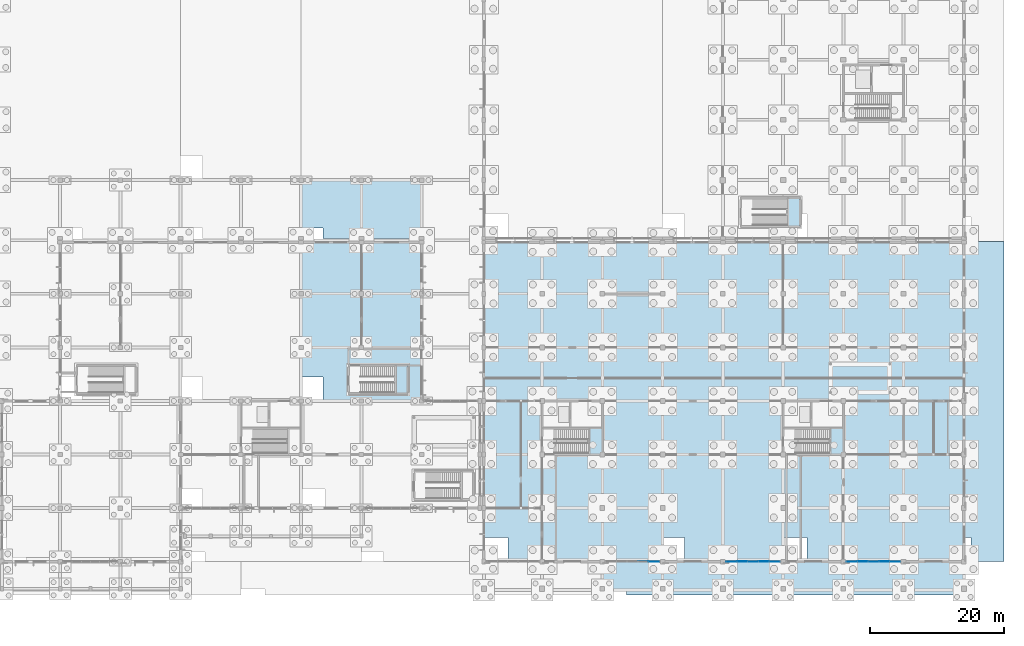
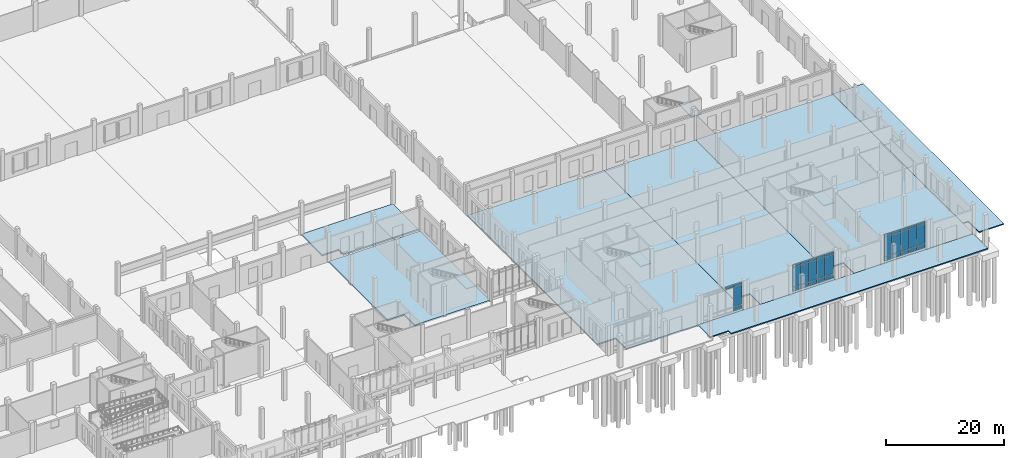
# One storey, part 50 of 99: 34 plates, 11 slabs, 7 elements without a shape of their own.
"""IFC4 building model written with IfcOpenShell, lengths in metres."""

from ifc_helpers import new_model, si_unit, direction, frame, origin, origin_2d, place, context, subcontext, project, spatial, polyline, rectangle, outline, extrude, material, layer, layer_set, type_object, element, aggregate, save


model = new_model("IFC4")

# Units and contexts
model_context = context("Model", 3, precision=1e-05, world=origin(), true_north=direction((0.0, 1.0)))
body_context = subcontext(model_context, "Body", "Model", "MODEL_VIEW")
ifc_project = project(units=[si_unit("LENGTHUNIT", "METRE"), si_unit("AREAUNIT", "SQUARE_METRE"), si_unit("VOLUMEUNIT", "CUBIC_METRE"), si_unit("PLANEANGLEUNIT", "RADIAN"), si_unit("MASSUNIT", "GRAM", prefix="KILO")], contexts=[model_context])

# Site, building, storey
site_placement = place(None, origin())
site = spatial("IfcSite", under=ifc_project, at=site_placement, CompositionType="ELEMENT")
building_placement = place(site_placement, origin())
building = spatial("IfcBuilding", under=site, at=building_placement, Name="Zacnel Wholesale Market", CompositionType="ELEMENT")
storey_placement = place(building_placement, origin())
storey = spatial("IfcBuildingStorey", under=building, at=storey_placement, Name="L01", CompositionType="ELEMENT", Elevation=0.0)

# Curtain wall, plate
ifc_material_1 = material(Name="Anodised aluminium", Category="aluminium")
ifc_layer_1 = layer(ifc_material_1, 0.179931640625)
ifc_layer_set_1 = layer_set([ifc_layer_1], Name="Anodised aluminium")
curtain_wall_type = type_object("IfcCurtainWallType", Name="CW-BLVD-5400", PredefinedType="NOTDEFINED", material=ifc_layer_set_1)
curtain_wall_1_placement = place(storey_placement, origin())
curtain_wall_1 = element("IfcCurtainWall", 1, at=curtain_wall_1_placement, inside=storey, type_object=curtain_wall_type, Name="Curtain wall ENV-R2-CW-L01-006", PredefinedType="NOTDEFINED")
ifc_material_2 = material(Name="Laminated hurricane-impact low-E insulated glass", Category="glass")
ifc_layer_2 = layer(ifc_material_2, 0.028076171875)
ifc_layer_set_2 = layer_set([ifc_layer_2], Name="Laminated hurricane-impact low-E insulated glass")
plate_type_1 = type_object("IfcPlateType", Name="CWP-PNL-01", PredefinedType="CURTAIN_PANEL", material=ifc_layer_set_2)
plate_1_placement = place(storey_placement, frame((169.72412109375, 0.0, 1.330078125), z_axis=(0.0, 0.0, 1.0), x_axis=(1.0, 0.0, 0.0)))
plate_1 = element("IfcPlate", 2, at=plate_1_placement, type_object=plate_type_1, Name="ENV-R2-CW-L01-006 panel 5-2", PredefinedType="CURTAIN_PANEL", context=body_context, shape_type="SweptSolid", body=[
    extrude(rectangle(XDim=1.5419921875, YDim=0.028076171875, at=origin_2d()), origin(), (0.0, 0.0, 1.0), 4.0400390625),
])

# Curtain wall, plates
curtain_wall_2_placement = place(storey_placement, origin())
curtain_wall_2 = element("IfcCurtainWall", 3, at=curtain_wall_2_placement, inside=storey, type_object=curtain_wall_type, Name="Curtain wall ENV-R2-CW-L01-007", PredefinedType="NOTDEFINED")
plate_2_placement = place(storey_placement, frame((181.27587890625, 0.0, 1.330078125), z_axis=(0.0, 0.0, 1.0), x_axis=(1.0, 0.0, 0.0)))
plate_2 = element("IfcPlate", 4, at=plate_2_placement, type_object=plate_type_1, Name="ENV-R2-CW-L01-007 panel 1-2", PredefinedType="CURTAIN_PANEL", context=body_context, shape_type="SweptSolid", body=[
    extrude(rectangle(XDim=1.5419921875, YDim=0.028076171875, at=origin_2d()), origin(), (0.0, 0.0, 1.0), 4.0400390625),
])
plate_3_placement = place(storey_placement, frame((182.887939453125, 0.0, 1.330078125), z_axis=(0.0, 0.0, 1.0), x_axis=(1.0, 0.0, 0.0)))
plate_3 = element("IfcPlate", 5, at=plate_3_placement, type_object=plate_type_1, Name="ENV-R2-CW-L01-007 panel 2-2", PredefinedType="CURTAIN_PANEL", context=body_context, shape_type="SweptSolid", body=[
    extrude(rectangle(XDim=1.5419921875, YDim=0.028076171875, at=origin_2d()), origin(), (0.0, 0.0, 1.0), 4.0400390625),
])
plate_4_placement = place(storey_placement, frame((184.5, 0.0, 1.330078125), z_axis=(0.0, 0.0, 1.0), x_axis=(1.0, 0.0, 0.0)))
plate_4 = element("IfcPlate", 6, at=plate_4_placement, type_object=plate_type_1, Name="ENV-R2-CW-L01-007 panel 3-2", PredefinedType="CURTAIN_PANEL", context=body_context, shape_type="SweptSolid", body=[
    extrude(rectangle(XDim=1.5419921875, YDim=0.028076171875, at=origin_2d()), origin(), (0.0, 0.0, 1.0), 4.0400390625),
])
plate_5_placement = place(storey_placement, frame((186.112060546875, 0.0, 1.330078125), z_axis=(0.0, 0.0, 1.0), x_axis=(1.0, 0.0, 0.0)))
plate_5 = element("IfcPlate", 7, at=plate_5_placement, type_object=plate_type_1, Name="ENV-R2-CW-L01-007 panel 4-2", PredefinedType="CURTAIN_PANEL", context=body_context, shape_type="SweptSolid", body=[
    extrude(rectangle(XDim=1.5419921875, YDim=0.028076171875, at=origin_2d()), origin(), (0.0, 0.0, 1.0), 4.0400390625),
])
plate_6_placement = place(storey_placement, frame((187.72412109375, 0.0, 1.330078125), z_axis=(0.0, 0.0, 1.0), x_axis=(1.0, 0.0, 0.0)))
plate_6 = element("IfcPlate", 8, at=plate_6_placement, type_object=plate_type_1, Name="ENV-R2-CW-L01-007 panel 5-2", PredefinedType="CURTAIN_PANEL", context=body_context, shape_type="SweptSolid", body=[
    extrude(rectangle(XDim=1.5419921875, YDim=0.028076171875, at=origin_2d()), origin(), (0.0, 0.0, 1.0), 4.0400390625),
])

curtain_wall_3_placement = place(storey_placement, origin())
curtain_wall_3 = element("IfcCurtainWall", 9, at=curtain_wall_3_placement, inside=storey, type_object=curtain_wall_type, Name="Curtain wall ENV-R2-CW-L01-008", PredefinedType="NOTDEFINED")
plate_7_placement = place(storey_placement, frame((199.27587890625, 0.0, 1.330078125), z_axis=(0.0, 0.0, 1.0), x_axis=(1.0, 0.0, 0.0)))
plate_7 = element("IfcPlate", 10, at=plate_7_placement, type_object=plate_type_1, Name="ENV-R2-CW-L01-008 panel 1-2", PredefinedType="CURTAIN_PANEL", context=body_context, shape_type="SweptSolid", body=[
    extrude(rectangle(XDim=1.5419921875, YDim=0.028076171875, at=origin_2d()), origin(), (0.0, 0.0, 1.0), 4.0400390625),
])
plate_8_placement = place(storey_placement, frame((200.887939453125, 0.0, 1.330078125), z_axis=(0.0, 0.0, 1.0), x_axis=(1.0, 0.0, 0.0)))
plate_8 = element("IfcPlate", 11, at=plate_8_placement, type_object=plate_type_1, Name="ENV-R2-CW-L01-008 panel 2-2", PredefinedType="CURTAIN_PANEL", context=body_context, shape_type="SweptSolid", body=[
    extrude(rectangle(XDim=1.5419921875, YDim=0.028076171875, at=origin_2d()), origin(), (0.0, 0.0, 1.0), 4.0400390625),
])
plate_9_placement = place(storey_placement, frame((202.5, 0.0, 1.330078125), z_axis=(0.0, 0.0, 1.0), x_axis=(1.0, 0.0, 0.0)))
plate_9 = element("IfcPlate", 12, at=plate_9_placement, type_object=plate_type_1, Name="ENV-R2-CW-L01-008 panel 3-2", PredefinedType="CURTAIN_PANEL", context=body_context, shape_type="SweptSolid", body=[
    extrude(rectangle(XDim=1.5419921875, YDim=0.028076171875, at=origin_2d()), origin(), (0.0, 0.0, 1.0), 4.0400390625),
])
plate_10_placement = place(storey_placement, frame((204.112060546875, 0.0, 1.330078125), z_axis=(0.0, 0.0, 1.0), x_axis=(1.0, 0.0, 0.0)))
plate_10 = element("IfcPlate", 13, at=plate_10_placement, type_object=plate_type_1, Name="ENV-R2-CW-L01-008 panel 4-2", PredefinedType="CURTAIN_PANEL", context=body_context, shape_type="SweptSolid", body=[
    extrude(rectangle(XDim=1.5419921875, YDim=0.028076171875, at=origin_2d()), origin(), (0.0, 0.0, 1.0), 4.0400390625),
])
plate_11_placement = place(storey_placement, frame((205.72412109375, 0.0, 1.330078125), z_axis=(0.0, 0.0, 1.0), x_axis=(1.0, 0.0, 0.0)))
plate_11 = element("IfcPlate", 14, at=plate_11_placement, type_object=plate_type_1, Name="ENV-R2-CW-L01-008 panel 5-2", PredefinedType="CURTAIN_PANEL", context=body_context, shape_type="SweptSolid", body=[
    extrude(rectangle(XDim=1.5419921875, YDim=0.028076171875, at=origin_2d()), origin(), (0.0, 0.0, 1.0), 4.0400390625),
])

# Plate
ifc_material_3 = material(Name="Anodised aluminium", Category="aluminium")
ifc_layer_3 = layer(ifc_material_3, 0.0400390625)
ifc_layer_set_3 = layer_set([ifc_layer_3], Name="Anodised aluminium")
plate_type_2 = type_object("IfcPlateType", Name="CWP-PNL-05", PredefinedType="CURTAIN_PANEL", material=ifc_layer_set_3)
plate_12_placement = place(storey_placement, frame((169.72412109375, 0.0, 0.47998046875), z_axis=(0.0, 0.0, 1.0), x_axis=(1.0, 0.0, 0.0)))
plate_12 = element("IfcPlate", 15, at=plate_12_placement, type_object=plate_type_2, Name="ENV-R2-CW-L01-006 panel 5-1", PredefinedType="CURTAIN_PANEL", context=body_context, shape_type="SweptSolid", body=[
    extrude(rectangle(XDim=1.5419921875, YDim=0.0400390625, at=origin_2d()), origin(), (0.0, 0.0, 1.0), 0.7900390625),
])

plate_13_placement = place(storey_placement, frame((169.72412109375, 0.0, 5.43017578125), z_axis=(0.0, 0.0, 1.0), x_axis=(1.0, 0.0, 0.0)))
plate_13 = element("IfcPlate", 16, at=plate_13_placement, type_object=plate_type_2, Name="ENV-R2-CW-L01-006 panel 5-3", PredefinedType="CURTAIN_PANEL", context=body_context, shape_type="SweptSolid", body=[
    extrude(rectangle(XDim=1.5419921875, YDim=0.0400390625, at=origin_2d()), origin(), (0.0, 0.0, 1.0), 0.489990234375),
])

plate_14_placement = place(storey_placement, frame((181.27587890625, 0.0, 0.47998046875), z_axis=(0.0, 0.0, 1.0), x_axis=(1.0, 0.0, 0.0)))
plate_14 = element("IfcPlate", 17, at=plate_14_placement, type_object=plate_type_2, Name="ENV-R2-CW-L01-007 panel 1-1", PredefinedType="CURTAIN_PANEL", context=body_context, shape_type="SweptSolid", body=[
    extrude(rectangle(XDim=1.5419921875, YDim=0.0400390625, at=origin_2d()), origin(), (0.0, 0.0, 1.0), 0.7900390625),
])

plate_15_placement = place(storey_placement, frame((181.27587890625, 0.0, 5.43017578125), z_axis=(0.0, 0.0, 1.0), x_axis=(1.0, 0.0, 0.0)))
plate_15 = element("IfcPlate", 18, at=plate_15_placement, type_object=plate_type_2, Name="ENV-R2-CW-L01-007 panel 1-3", PredefinedType="CURTAIN_PANEL", context=body_context, shape_type="SweptSolid", body=[
    extrude(rectangle(XDim=1.5419921875, YDim=0.0400390625, at=origin_2d()), origin(), (0.0, 0.0, 1.0), 0.489990234375),
])

plate_16_placement = place(storey_placement, frame((184.5, 0.0, 0.47998046875), z_axis=(0.0, 0.0, 1.0), x_axis=(1.0, 0.0, 0.0)))
plate_16 = element("IfcPlate", 19, at=plate_16_placement, type_object=plate_type_2, Name="ENV-R2-CW-L01-007 panel 3-1", PredefinedType="CURTAIN_PANEL", context=body_context, shape_type="SweptSolid", body=[
    extrude(rectangle(XDim=1.5419921875, YDim=0.0400390625, at=origin_2d()), origin(), (0.0, 0.0, 1.0), 0.7900390625),
])

plate_17_placement = place(storey_placement, frame((184.5, 0.0, 5.43017578125), z_axis=(0.0, 0.0, 1.0), x_axis=(1.0, 0.0, 0.0)))
plate_17 = element("IfcPlate", 20, at=plate_17_placement, type_object=plate_type_2, Name="ENV-R2-CW-L01-007 panel 3-3", PredefinedType="CURTAIN_PANEL", context=body_context, shape_type="SweptSolid", body=[
    extrude(rectangle(XDim=1.5419921875, YDim=0.0400390625, at=origin_2d()), origin(), (0.0, 0.0, 1.0), 0.489990234375),
])

plate_18_placement = place(storey_placement, frame((187.72412109375, 0.0, 0.47998046875), z_axis=(0.0, 0.0, 1.0), x_axis=(1.0, 0.0, 0.0)))
plate_18 = element("IfcPlate", 21, at=plate_18_placement, type_object=plate_type_2, Name="ENV-R2-CW-L01-007 panel 5-1", PredefinedType="CURTAIN_PANEL", context=body_context, shape_type="SweptSolid", body=[
    extrude(rectangle(XDim=1.5419921875, YDim=0.0400390625, at=origin_2d()), origin(), (0.0, 0.0, 1.0), 0.7900390625),
])

plate_19_placement = place(storey_placement, frame((187.72412109375, 0.0, 5.43017578125), z_axis=(0.0, 0.0, 1.0), x_axis=(1.0, 0.0, 0.0)))
plate_19 = element("IfcPlate", 22, at=plate_19_placement, type_object=plate_type_2, Name="ENV-R2-CW-L01-007 panel 5-3", PredefinedType="CURTAIN_PANEL", context=body_context, shape_type="SweptSolid", body=[
    extrude(rectangle(XDim=1.5419921875, YDim=0.0400390625, at=origin_2d()), origin(), (0.0, 0.0, 1.0), 0.489990234375),
])

plate_20_placement = place(storey_placement, frame((199.27587890625, 0.0, 0.47998046875), z_axis=(0.0, 0.0, 1.0), x_axis=(1.0, 0.0, 0.0)))
plate_20 = element("IfcPlate", 23, at=plate_20_placement, type_object=plate_type_2, Name="ENV-R2-CW-L01-008 panel 1-1", PredefinedType="CURTAIN_PANEL", context=body_context, shape_type="SweptSolid", body=[
    extrude(rectangle(XDim=1.5419921875, YDim=0.0400390625, at=origin_2d()), origin(), (0.0, 0.0, 1.0), 0.7900390625),
])

plate_21_placement = place(storey_placement, frame((199.27587890625, 0.0, 5.43017578125), z_axis=(0.0, 0.0, 1.0), x_axis=(1.0, 0.0, 0.0)))
plate_21 = element("IfcPlate", 24, at=plate_21_placement, type_object=plate_type_2, Name="ENV-R2-CW-L01-008 panel 1-3", PredefinedType="CURTAIN_PANEL", context=body_context, shape_type="SweptSolid", body=[
    extrude(rectangle(XDim=1.5419921875, YDim=0.0400390625, at=origin_2d()), origin(), (0.0, 0.0, 1.0), 0.489990234375),
])

plate_22_placement = place(storey_placement, frame((202.5, 0.0, 0.47998046875), z_axis=(0.0, 0.0, 1.0), x_axis=(1.0, 0.0, 0.0)))
plate_22 = element("IfcPlate", 25, at=plate_22_placement, type_object=plate_type_2, Name="ENV-R2-CW-L01-008 panel 3-1", PredefinedType="CURTAIN_PANEL", context=body_context, shape_type="SweptSolid", body=[
    extrude(rectangle(XDim=1.5419921875, YDim=0.0400390625, at=origin_2d()), origin(), (0.0, 0.0, 1.0), 0.7900390625),
])

plate_23_placement = place(storey_placement, frame((202.5, 0.0, 5.43017578125), z_axis=(0.0, 0.0, 1.0), x_axis=(1.0, 0.0, 0.0)))
plate_23 = element("IfcPlate", 26, at=plate_23_placement, type_object=plate_type_2, Name="ENV-R2-CW-L01-008 panel 3-3", PredefinedType="CURTAIN_PANEL", context=body_context, shape_type="SweptSolid", body=[
    extrude(rectangle(XDim=1.5419921875, YDim=0.0400390625, at=origin_2d()), origin(), (0.0, 0.0, 1.0), 0.489990234375),
])

plate_24_placement = place(storey_placement, frame((205.72412109375, 0.0, 0.47998046875), z_axis=(0.0, 0.0, 1.0), x_axis=(1.0, 0.0, 0.0)))
plate_24 = element("IfcPlate", 27, at=plate_24_placement, type_object=plate_type_2, Name="ENV-R2-CW-L01-008 panel 5-1", PredefinedType="CURTAIN_PANEL", context=body_context, shape_type="SweptSolid", body=[
    extrude(rectangle(XDim=1.5419921875, YDim=0.0400390625, at=origin_2d()), origin(), (0.0, 0.0, 1.0), 0.7900390625),
])

plate_25_placement = place(storey_placement, frame((205.72412109375, 0.0, 5.43017578125), z_axis=(0.0, 0.0, 1.0), x_axis=(1.0, 0.0, 0.0)))
plate_25 = element("IfcPlate", 28, at=plate_25_placement, type_object=plate_type_2, Name="ENV-R2-CW-L01-008 panel 5-3", PredefinedType="CURTAIN_PANEL", context=body_context, shape_type="SweptSolid", body=[
    extrude(rectangle(XDim=1.5419921875, YDim=0.0400390625, at=origin_2d()), origin(), (0.0, 0.0, 1.0), 0.489990234375),
])

ifc_material_4 = material(Name="Honed Yucatan Maya cream limestone", Category="masonry")
ifc_layer_4 = layer(ifc_material_4, 0.044921875)
ifc_layer_set_4 = layer_set([ifc_layer_4], Name="Honed Yucatan Maya cream limestone")
plate_type_3 = type_object("IfcPlateType", Name="CWP-PNL-06", PredefinedType="CURTAIN_PANEL", material=ifc_layer_set_4)
plate_26_placement = place(storey_placement, frame((168.112060546875, 0.0, 5.43017578125), z_axis=(0.0, 0.0, 1.0), x_axis=(1.0, 0.0, 0.0)))
plate_26 = element("IfcPlate", 29, at=plate_26_placement, type_object=plate_type_3, Name="ENV-R2-CW-L01-006 panel 4-3", PredefinedType="CURTAIN_PANEL", context=body_context, shape_type="SweptSolid", body=[
    extrude(rectangle(XDim=1.5419921875, YDim=0.044921875, at=origin_2d()), origin(), (0.0, 0.0, 1.0), 0.489990234375),
])

aggregate(curtain_wall_1, [plate_26, plate_12, plate_1, plate_13])

plate_27_placement = place(storey_placement, frame((182.887939453125, 0.0, 0.47998046875), z_axis=(0.0, 0.0, 1.0), x_axis=(1.0, 0.0, 0.0)))
plate_27 = element("IfcPlate", 30, at=plate_27_placement, type_object=plate_type_3, Name="ENV-R2-CW-L01-007 panel 2-1", PredefinedType="CURTAIN_PANEL", context=body_context, shape_type="SweptSolid", body=[
    extrude(rectangle(XDim=1.5419921875, YDim=0.044921875, at=origin_2d()), origin(), (0.0, 0.0, 1.0), 0.7900390625),
])

plate_28_placement = place(storey_placement, frame((182.887939453125, 0.0, 5.43017578125), z_axis=(0.0, 0.0, 1.0), x_axis=(1.0, 0.0, 0.0)))
plate_28 = element("IfcPlate", 31, at=plate_28_placement, type_object=plate_type_3, Name="ENV-R2-CW-L01-007 panel 2-3", PredefinedType="CURTAIN_PANEL", context=body_context, shape_type="SweptSolid", body=[
    extrude(rectangle(XDim=1.5419921875, YDim=0.044921875, at=origin_2d()), origin(), (0.0, 0.0, 1.0), 0.489990234375),
])

plate_29_placement = place(storey_placement, frame((186.112060546875, 0.0, 0.47998046875), z_axis=(0.0, 0.0, 1.0), x_axis=(1.0, 0.0, 0.0)))
plate_29 = element("IfcPlate", 32, at=plate_29_placement, type_object=plate_type_3, Name="ENV-R2-CW-L01-007 panel 4-1", PredefinedType="CURTAIN_PANEL", context=body_context, shape_type="SweptSolid", body=[
    extrude(rectangle(XDim=1.5419921875, YDim=0.044921875, at=origin_2d()), origin(), (0.0, 0.0, 1.0), 0.7900390625),
])

plate_30_placement = place(storey_placement, frame((186.112060546875, 0.0, 5.43017578125), z_axis=(0.0, 0.0, 1.0), x_axis=(1.0, 0.0, 0.0)))
plate_30 = element("IfcPlate", 33, at=plate_30_placement, type_object=plate_type_3, Name="ENV-R2-CW-L01-007 panel 4-3", PredefinedType="CURTAIN_PANEL", context=body_context, shape_type="SweptSolid", body=[
    extrude(rectangle(XDim=1.5419921875, YDim=0.044921875, at=origin_2d()), origin(), (0.0, 0.0, 1.0), 0.489990234375),
])

aggregate(curtain_wall_2, [plate_14, plate_2, plate_15, plate_27, plate_3, plate_28, plate_16, plate_4, plate_17, plate_29, plate_5, plate_30, plate_18, plate_6, plate_19])

plate_31_placement = place(storey_placement, frame((200.887939453125, 0.0, 0.47998046875), z_axis=(0.0, 0.0, 1.0), x_axis=(1.0, 0.0, 0.0)))
plate_31 = element("IfcPlate", 34, at=plate_31_placement, type_object=plate_type_3, Name="ENV-R2-CW-L01-008 panel 2-1", PredefinedType="CURTAIN_PANEL", context=body_context, shape_type="SweptSolid", body=[
    extrude(rectangle(XDim=1.5419921875, YDim=0.044921875, at=origin_2d()), origin(), (0.0, 0.0, 1.0), 0.7900390625),
])

plate_32_placement = place(storey_placement, frame((200.887939453125, 0.0, 5.43017578125), z_axis=(0.0, 0.0, 1.0), x_axis=(1.0, 0.0, 0.0)))
plate_32 = element("IfcPlate", 35, at=plate_32_placement, type_object=plate_type_3, Name="ENV-R2-CW-L01-008 panel 2-3", PredefinedType="CURTAIN_PANEL", context=body_context, shape_type="SweptSolid", body=[
    extrude(rectangle(XDim=1.5419921875, YDim=0.044921875, at=origin_2d()), origin(), (0.0, 0.0, 1.0), 0.489990234375),
])

plate_33_placement = place(storey_placement, frame((204.112060546875, 0.0, 0.47998046875), z_axis=(0.0, 0.0, 1.0), x_axis=(1.0, 0.0, 0.0)))
plate_33 = element("IfcPlate", 36, at=plate_33_placement, type_object=plate_type_3, Name="ENV-R2-CW-L01-008 panel 4-1", PredefinedType="CURTAIN_PANEL", context=body_context, shape_type="SweptSolid", body=[
    extrude(rectangle(XDim=1.5419921875, YDim=0.044921875, at=origin_2d()), origin(), (0.0, 0.0, 1.0), 0.7900390625),
])

plate_34_placement = place(storey_placement, frame((204.112060546875, 0.0, 5.43017578125), z_axis=(0.0, 0.0, 1.0), x_axis=(1.0, 0.0, 0.0)))
plate_34 = element("IfcPlate", 37, at=plate_34_placement, type_object=plate_type_3, Name="ENV-R2-CW-L01-008 panel 4-3", PredefinedType="CURTAIN_PANEL", context=body_context, shape_type="SweptSolid", body=[
    extrude(rectangle(XDim=1.5419921875, YDim=0.044921875, at=origin_2d()), origin(), (0.0, 0.0, 1.0), 0.489990234375),
])

aggregate(curtain_wall_3, [plate_20, plate_7, plate_21, plate_31, plate_8, plate_32, plate_22, plate_9, plate_23, plate_33, plate_10, plate_34, plate_24, plate_11, plate_25])

# Slabs
ifc_material_5 = material(Name="Concrete C35/45", Category="concrete")
ifc_layer_5 = layer(ifc_material_5, 0.219970703125)
ifc_layer_set_5 = layer_set([ifc_layer_5], Name="Concrete C35/45")
slab_type_1 = type_object("IfcSlabType", Name="SLB-BASE-220", PredefinedType="BASESLAB", material=ifc_layer_set_5)
slab_1_placement = place(storey_placement, frame((0.0, 0.0, -0.219970703125)))
element("IfcSlab", 38, at=slab_1_placement, inside=storey, type_object=slab_type_1, Name="Structural slab SLB-L01-FORECOURT-S-P3", PredefinedType="BASESLAB", context=body_context, shape_type="SweptSolid", body=[
    extrude(outline(polyline([(165.60009765625, -5.0), (216.0, -5.0), (216.0, 0.0), (162.0, 0.0), (162.0, -4.10009765625), (165.60009765625, -4.10009765625), (165.60009765625, -5.0)])), origin(), (0.0, 0.0, 1.0), 0.219970703125),
])
slab_2_placement = place(storey_placement, frame((0.0, 0.0, -0.219970703125)))
element("IfcSlab", 39, at=slab_2_placement, inside=storey, type_object=slab_type_1, Name="Structural slab SLB-L01-PROM-E-P1", PredefinedType="BASESLAB", context=body_context, shape_type="SweptSolid", body=[
    extrude(outline(polyline([(217.080078125, 0.0), (222.0, 0.0), (222.0, 47.85009765625), (216.0, 47.85009765625), (216.0, 3.60009765625), (217.080078125, 3.60009765625), (217.080078125, 0.0)])), origin(), (0.0, 0.0, 1.0), 0.219970703125),
])
ifc_material_6 = material(Name="Concrete C35/45", Category="concrete")
ifc_layer_6 = layer(ifc_material_6, 0.280029296875)
ifc_layer_set_6 = layer_set([ifc_layer_6], Name="Concrete C35/45")
slab_type_2 = type_object("IfcSlabType", Name="SLB-BASE-280", PredefinedType="BASESLAB", material=ifc_layer_set_6)
slab_3_placement = place(storey_placement, frame((0.0, 0.0, -0.280029296875)))
element("IfcSlab", 40, at=slab_3_placement, inside=storey, type_object=slab_type_2, Name="Structural slab SLB-L01-V2-AUC-P3", PredefinedType="BASESLAB", context=body_context, shape_type="SweptSolid", body=[
    extrude(outline(polyline([(120.239990234375, 24.0), (135.0, 24.0), (135.0, 47.699951171875), (117.0, 47.699951171875), (117.0, 27.60009765625), (120.239990234375, 27.60009765625), (120.239990234375, 24.0)])), origin(), (0.0, 0.0, 1.0), 0.280029296875),
])
slab_4_placement = place(storey_placement, frame((0.0, 0.0, -0.280029296875)))
element("IfcSlab", 41, at=slab_4_placement, inside=storey, type_object=slab_type_2, Name="Structural slab SLB-L01-V2-FOY-P3", PredefinedType="BASESLAB", context=body_context, shape_type="SweptSolid", body=[
    extrude(outline(polyline([(120.239990234375, 48.300048828125), (135.0, 48.300048828125), (135.0, 57.0), (117.0, 57.0), (117.0, 49.8701171875), (120.239990234375, 49.8701171875), (120.239990234375, 48.300048828125)])), origin(), (0.0, 0.0, 1.0), 0.280029296875),
])
slab_5_placement = place(storey_placement, frame((0.0, 0.0, -0.280029296875)))
element("IfcSlab", 42, at=slab_5_placement, inside=storey, type_object=slab_type_2, Name="Structural slab SLB-L01-V5-P1", PredefinedType="BASESLAB", context=body_context, shape_type="SweptSolid", body=[
    extrude(outline(polyline([(147.89990234375, 0.0), (171.0, 0.0), (171.0, 47.699951171875), (144.300048828125, 47.699951171875), (144.300048828125, 3.60009765625), (147.89990234375, 3.60009765625), (147.89990234375, 0.0)])), origin(), (0.0, 0.0, 1.0), 0.280029296875),
])
slab_6_placement = place(storey_placement, frame((0.0, 0.0, -0.280029296875)))
element("IfcSlab", 43, at=slab_6_placement, inside=storey, type_object=slab_type_2, Name="Structural slab SLB-L01-V5-P2", PredefinedType="BASESLAB", context=body_context, shape_type="SweptSolid", body=[
    extrude(outline(polyline([(174.239990234375, 0.0), (189.0, 0.0), (189.0, 47.699951171875), (171.0, 47.699951171875), (171.0, 3.60009765625), (174.239990234375, 3.60009765625), (174.239990234375, 0.0)])), origin(), (0.0, 0.0, 1.0), 0.280029296875),
])
slab_7_placement = place(storey_placement, frame((0.0, 0.0, -0.280029296875)))
element("IfcSlab", 44, at=slab_7_placement, inside=storey, type_object=slab_type_2, Name="Structural slab SLB-L01-V5-P3", PredefinedType="BASESLAB", context=body_context, shape_type="SweptSolid", body=[
    extrude(outline(polyline([(192.60009765625, 0.0), (216.0, 0.0), (216.0, 47.699951171875), (189.0, 47.699951171875), (189.0, 3.60009765625), (192.60009765625, 3.60009765625), (192.60009765625, 0.0)])), origin(), (0.0, 0.0, 1.0), 0.280029296875),
])

# Stair, slab
ifc_material_7 = material(Name="Precast concrete C45/55", Category="concrete")
stair_type = type_object("IfcStairType", Name="STR-DOGLEG-1550", PredefinedType="HALF_TURN_STAIR", material=ifc_material_7)
stair_1_placement = place(storey_placement, origin())
stair_1 = element("IfcStair", 45, at=stair_1_placement, inside=storey, type_object=stair_type, Name="Stair ST-01 (L01)", PredefinedType="HALF_TURN_STAIR")
ifc_material_8 = material(Name="Precast concrete C45/55", Category="concrete")
ifc_layer_7 = layer(ifc_material_8, 0.199951171875)
ifc_layer_set_7 = layer_set([ifc_layer_7], Name="Precast concrete C45/55")
slab_type_3 = type_object("IfcSlabType", Name="SLB-LAND-200", PredefinedType="LANDING", material=ifc_layer_set_7)
slab_8_placement = place(storey_placement, frame((0.0, 0.0, 2.949951171875)))
slab_8 = element("IfcSlab", 46, at=slab_8_placement, type_object=slab_type_3, Name="ST-01 landing 1", PredefinedType="LANDING", context=body_context, shape_type="SweptSolid", body=[
    extrude(outline(polyline([(159.909912109375, 15.989990234375), (162.010009765625, 15.989990234375), (162.010009765625, 19.9599609375), (159.909912109375, 19.9599609375), (159.909912109375, 15.989990234375)])), origin(), (0.0, 0.0, 1.0), 0.199951171875),
])
aggregate(stair_1, [slab_8])

stair_2_placement = place(storey_placement, origin())
stair_2 = element("IfcStair", 47, at=stair_2_placement, inside=storey, type_object=stair_type, Name="Stair ST-04 (L01)", PredefinedType="HALF_TURN_STAIR")
slab_9_placement = place(storey_placement, frame((0.0, 0.0, 2.949951171875)))
slab_9 = element("IfcSlab", 48, at=slab_9_placement, type_object=slab_type_3, Name="ST-04 landing 1", PredefinedType="LANDING", context=body_context, shape_type="SweptSolid", body=[
    extrude(outline(polyline([(195.909912109375, 15.989990234375), (198.010009765625, 15.989990234375), (198.010009765625, 19.9599609375), (195.909912109375, 19.9599609375), (195.909912109375, 15.989990234375)])), origin(), (0.0, 0.0, 1.0), 0.199951171875),
])
aggregate(stair_2, [slab_9])

stair_3_placement = place(storey_placement, origin())
stair_3 = element("IfcStair", 49, at=stair_3_placement, inside=storey, type_object=stair_type, Name="Stair ST-19 (L01)", PredefinedType="HALF_TURN_STAIR")
slab_10_placement = place(storey_placement, frame((0.0, 0.0, 2.949951171875)))
slab_10 = element("IfcSlab", 50, at=slab_10_placement, type_object=slab_type_3, Name="ST-19 landing 1", PredefinedType="LANDING", context=body_context, shape_type="SweptSolid", body=[
    extrude(outline(polyline([(130.97998046875, 25.06005859375), (132.93994140625, 25.06005859375), (132.93994140625, 29.340087890625), (130.97998046875, 29.340087890625), (130.97998046875, 25.06005859375)])), origin(), (0.0, 0.0, 1.0), 0.199951171875),
])
aggregate(stair_3, [slab_10])

stair_4_placement = place(storey_placement, origin())
stair_4 = element("IfcStair", 51, at=stair_4_placement, inside=storey, type_object=stair_type, Name="Stair ST-22 (L01)", PredefinedType="HALF_TURN_STAIR")
slab_11_placement = place(storey_placement, frame((0.0, 0.0, 2.949951171875)))
slab_11 = element("IfcSlab", 52, at=slab_11_placement, type_object=slab_type_3, Name="ST-22 landing 1", PredefinedType="LANDING", context=body_context, shape_type="SweptSolid", body=[
    extrude(outline(polyline([(189.580078125, 50.06005859375), (191.5400390625, 50.06005859375), (191.5400390625, 54.340087890625), (189.580078125, 54.340087890625), (189.580078125, 50.06005859375)])), origin(), (0.0, 0.0, 1.0), 0.199951171875),
])
aggregate(stair_4, [slab_11])

save(model, "model.ifc")
